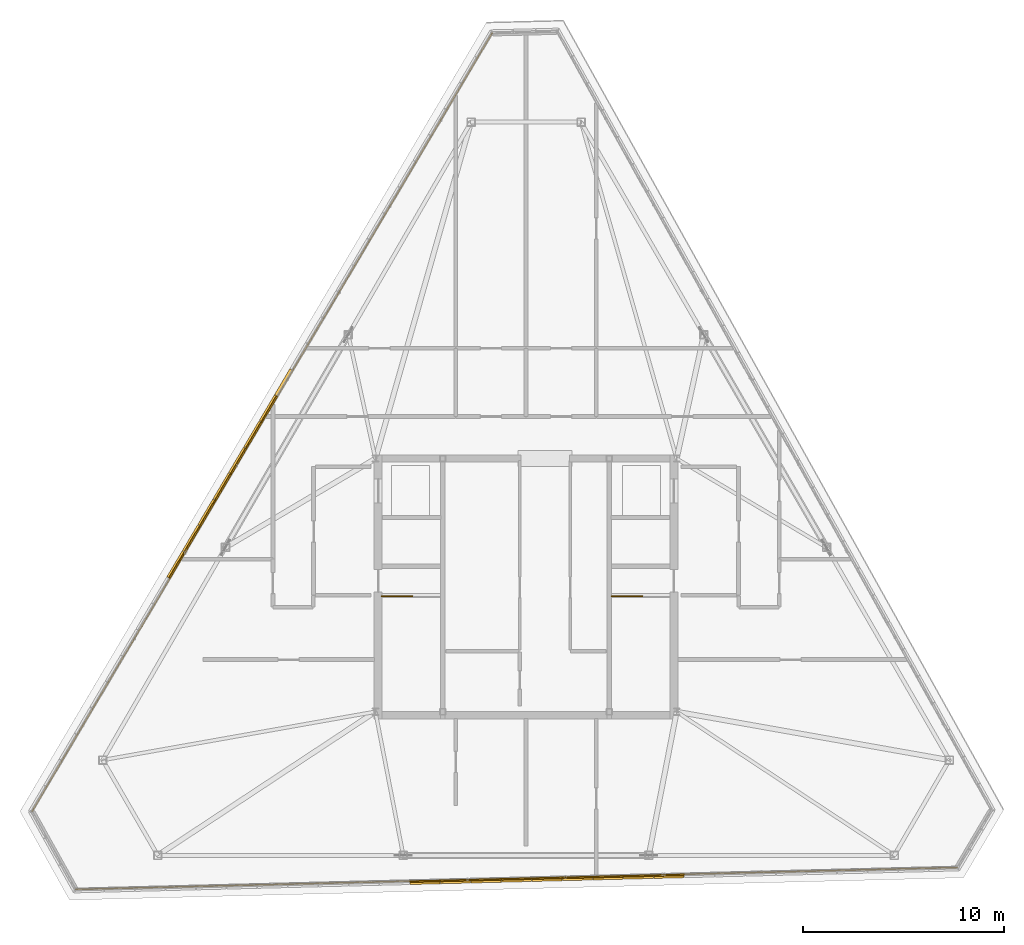
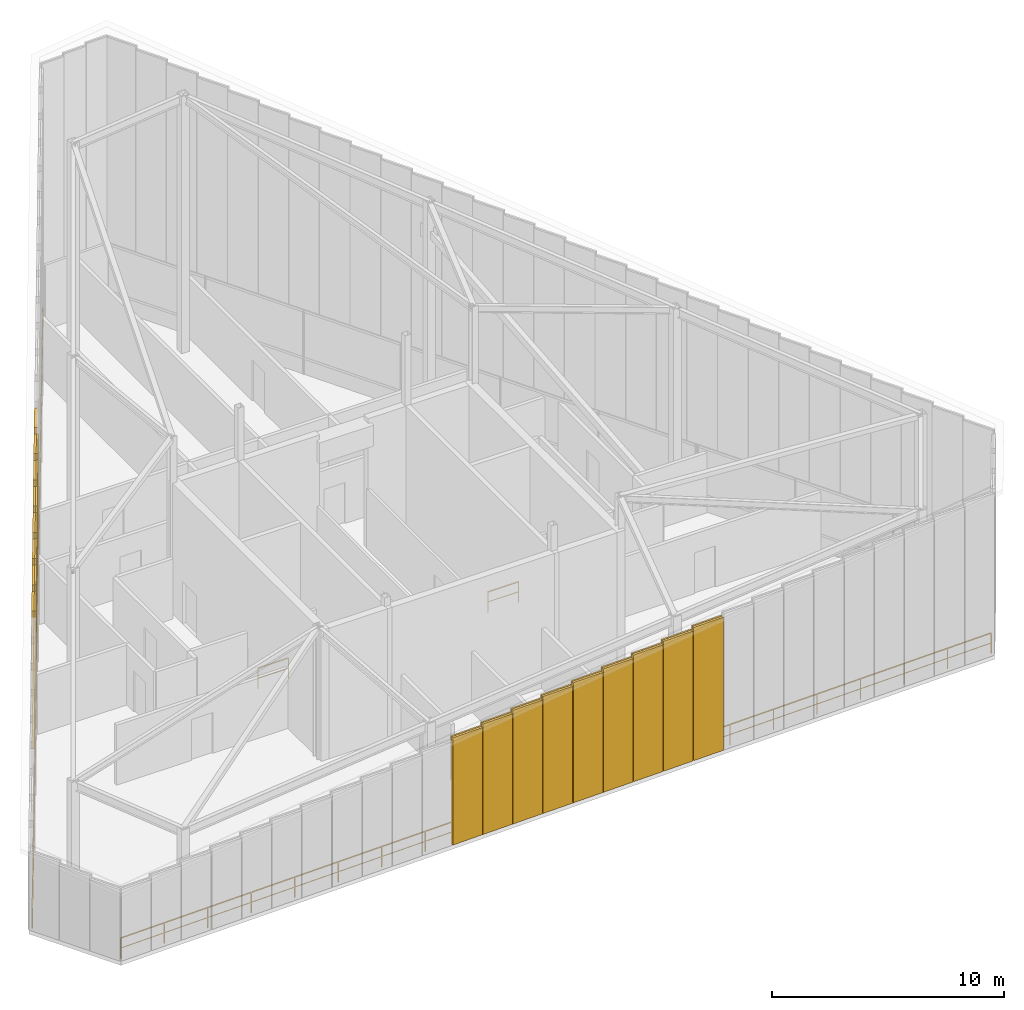
# One storey, part 47 of 50: 17 shading devices, 16 coverings, 4 railings.
"""IFC4 building model written with IfcOpenShell, lengths in metres."""

from ifc_helpers import new_model, si_unit, direction, frame, origin, origin_2d, place, context, subcontext, project, spatial, rectangle, extrude, source, transform, mapped, material, layer, layer_set, type_object, type_shapes, element, save


model = new_model("IFC4")

# Units and contexts
model_context = context("Model", 3, precision=1e-05, world=origin(), true_north=direction((0.0, 1.0)))
body_context = subcontext(model_context, "Body", "Model", "MODEL_VIEW")
ifc_project = project(units=[si_unit("LENGTHUNIT", "METRE"), si_unit("AREAUNIT", "SQUARE_METRE"), si_unit("VOLUMEUNIT", "CUBIC_METRE"), si_unit("PLANEANGLEUNIT", "RADIAN"), si_unit("MASSUNIT", "GRAM", prefix="KILO")], contexts=[model_context])

# Site, building, storey
site_placement = place(None, origin())
site = spatial("IfcSite", under=ifc_project, at=site_placement, CompositionType="ELEMENT")
building_placement = place(site_placement, origin())
building = spatial("IfcBuilding", under=site, at=building_placement, Name="Caelisora Broadcast Tower", CompositionType="ELEMENT")
storey_placement = place(building_placement, frame((0.0, 0.0, 303.39990234375)))
storey = spatial("IfcBuildingStorey", under=building, at=storey_placement, Name="L80", CompositionType="ELEMENT", Elevation=303.39990234375)

# Railings
ifc_material_1 = material(Name="Galvanised Steel Safety Guardrail", Category="steel")
ifc_layer_1 = layer(ifc_material_1, 0.048095703125, Name="Galvanised Steel Safety Guardrail")
ifc_layer_set_1 = layer_set([ifc_layer_1], Name="Galvanised Steel Safety Guardrail")
railing_type = type_object("IfcRailingType", Name="GR-1", PredefinedType="GUARDRAIL", material=ifc_layer_set_1)
railing_1_placement = place(storey_placement, frame((59.48388671875, 9.64501953125, 0.0)))
element("IfcRailing", 1, at=railing_1_placement, inside=storey, type_object=railing_type, Name="L80 balustrade GR-1 #02", PredefinedType="GUARDRAIL", context=body_context, shape_type="SweptSolid", body=[
    extrude(rectangle(XDim=0.048095703125, YDim=0.048095703125, at=origin_2d()), frame((0.0, 0.0, 1.076171875), z_axis=(-0.999689846851, -0.024904017811, 0.0), x_axis=(0.024904017811, -0.999689846851, 0.0)), (0.0, 0.0, 1.0), 43.928466796875),
    extrude(rectangle(XDim=0.03125, YDim=0.03125, at=origin_2d()), frame((0.0, 0.0, 0.550048828125), z_axis=(-0.999689846851, -0.024904017811, 0.0), x_axis=(0.024904017811, -0.999689846851, 0.0)), (0.0, 0.0, 1.0), 43.928466796875),
    extrude(rectangle(XDim=0.0419921875, YDim=0.0419921875, at=origin_2d()), origin(), (0.0, 0.0, 1.0), 1.052001953125),
    extrude(rectangle(XDim=0.0419921875, YDim=0.0419921875, at=origin_2d()), frame((-2.19580078125, -0.0546875, 0.0)), (0.0, 0.0, 1.0), 1.052001953125),
    extrude(rectangle(XDim=0.0419921875, YDim=0.0419921875, at=origin_2d()), frame((-4.3916015625, -0.109375, 0.0)), (0.0, 0.0, 1.0), 1.052001953125),
    extrude(rectangle(XDim=0.0419921875, YDim=0.0419921875, at=origin_2d()), frame((-6.587158203125, -0.1640625, 0.0)), (0.0, 0.0, 1.0), 1.052001953125),
    extrude(rectangle(XDim=0.0419921875, YDim=0.0419921875, at=origin_2d()), frame((-8.782958984375, -0.21875, 0.0)), (0.0, 0.0, 1.0), 1.052001953125),
    extrude(rectangle(XDim=0.0419921875, YDim=0.0419921875, at=origin_2d()), frame((-10.978759765625, -0.2734375, 0.0)), (0.0, 0.0, 1.0), 1.052001953125),
    extrude(rectangle(XDim=0.0419921875, YDim=0.0419921875, at=origin_2d()), frame((-13.17431640625, -0.328125, 0.0)), (0.0, 0.0, 1.0), 1.052001953125),
    extrude(rectangle(XDim=0.0419921875, YDim=0.0419921875, at=origin_2d()), frame((-15.3701171875, -0.3828125, 0.0)), (0.0, 0.0, 1.0), 1.052001953125),
    extrude(rectangle(XDim=0.0419921875, YDim=0.0419921875, at=origin_2d()), frame((-17.56591796875, -0.4375, 0.0)), (0.0, 0.0, 1.0), 1.052001953125),
    extrude(rectangle(XDim=0.0419921875, YDim=0.0419921875, at=origin_2d()), frame((-19.76171875, -0.4921875, 0.0)), (0.0, 0.0, 1.0), 1.052001953125),
    extrude(rectangle(XDim=0.0419921875, YDim=0.0419921875, at=origin_2d()), frame((-21.95751953125, -0.546875, 0.0)), (0.0, 0.0, 1.0), 1.052001953125),
    extrude(rectangle(XDim=0.0419921875, YDim=0.0419921875, at=origin_2d()), frame((-24.153076171875, -0.601806640625, 0.0)), (0.0, 0.0, 1.0), 1.052001953125),
    extrude(rectangle(XDim=0.0419921875, YDim=0.0419921875, at=origin_2d()), frame((-26.348876953125, -0.656494140625, 0.0)), (0.0, 0.0, 1.0), 1.052001953125),
    extrude(rectangle(XDim=0.0419921875, YDim=0.0419921875, at=origin_2d()), frame((-28.544677734375, -0.711181640625, 0.0)), (0.0, 0.0, 1.0), 1.052001953125),
    extrude(rectangle(XDim=0.0419921875, YDim=0.0419921875, at=origin_2d()), frame((-30.740234375, -0.765869140625, 0.0)), (0.0, 0.0, 1.0), 1.052001953125),
    extrude(rectangle(XDim=0.0419921875, YDim=0.0419921875, at=origin_2d()), frame((-32.93603515625, -0.820556640625, 0.0)), (0.0, 0.0, 1.0), 1.052001953125),
    extrude(rectangle(XDim=0.0419921875, YDim=0.0419921875, at=origin_2d()), frame((-35.1318359375, -0.875244140625, 0.0)), (0.0, 0.0, 1.0), 1.052001953125),
    extrude(rectangle(XDim=0.0419921875, YDim=0.0419921875, at=origin_2d()), frame((-37.32763671875, -0.929931640625, 0.0)), (0.0, 0.0, 1.0), 1.052001953125),
    extrude(rectangle(XDim=0.0419921875, YDim=0.0419921875, at=origin_2d()), frame((-39.5234375, -0.984619140625, 0.0)), (0.0, 0.0, 1.0), 1.052001953125),
    extrude(rectangle(XDim=0.0419921875, YDim=0.0419921875, at=origin_2d()), frame((-41.718994140625, -1.039306640625, 0.0)), (0.0, 0.0, 1.0), 1.052001953125),
    extrude(rectangle(XDim=0.0419921875, YDim=0.0419921875, at=origin_2d()), frame((-43.914794921875, -1.093994140625, 0.0)), (0.0, 0.0, 1.0), 1.052001953125),
])
railing_2_placement = place(storey_placement, frame((13.403076171875, 12.431884765625, 0.0)))
element("IfcRailing", 2, at=railing_2_placement, inside=storey, type_object=railing_type, Name="L80 balustrade GR-1 #04", PredefinedType="GUARDRAIL", context=body_context, shape_type="SweptSolid", body=[
    extrude(rectangle(XDim=0.048095703125, YDim=0.048095703125, at=origin_2d()), frame((0.0, 0.0, 1.076171875), z_axis=(0.508889535311, 0.860831830761, 0.0), x_axis=(-0.860831830761, 0.508889535311, 0.0)), (0.0, 0.0, 1.0), 45.01953125),
    extrude(rectangle(XDim=0.03125, YDim=0.03125, at=origin_2d()), frame((0.0, 0.0, 0.550048828125), z_axis=(0.508889535311, 0.860831830761, 0.0), x_axis=(-0.860831830761, 0.508889535311, 0.0)), (0.0, 0.0, 1.0), 45.01953125),
    extrude(rectangle(XDim=0.0419921875, YDim=0.0419921875, at=origin_2d()), origin(), (0.0, 0.0, 1.0), 1.052001953125),
    extrude(rectangle(XDim=0.0419921875, YDim=0.0419921875, at=origin_2d()), frame((1.091064453125, 1.845458984375, 0.0)), (0.0, 0.0, 1.0), 1.052001953125),
    extrude(rectangle(XDim=0.0419921875, YDim=0.0419921875, at=origin_2d()), frame((2.181884765625, 3.69091796875, 0.0)), (0.0, 0.0, 1.0), 1.052001953125),
    extrude(rectangle(XDim=0.0419921875, YDim=0.0419921875, at=origin_2d()), frame((3.27294921875, 5.536376953125, 0.0)), (0.0, 0.0, 1.0), 1.052001953125),
    extrude(rectangle(XDim=0.0419921875, YDim=0.0419921875, at=origin_2d()), frame((4.36376953125, 7.3818359375, 0.0)), (0.0, 0.0, 1.0), 1.052001953125),
    extrude(rectangle(XDim=0.0419921875, YDim=0.0419921875, at=origin_2d()), frame((5.454833984375, 9.227294921875, 0.0)), (0.0, 0.0, 1.0), 1.052001953125),
    extrude(rectangle(XDim=0.0419921875, YDim=0.0419921875, at=origin_2d()), frame((6.545654296875, 11.072509765625, 0.0)), (0.0, 0.0, 1.0), 1.052001953125),
    extrude(rectangle(XDim=0.0419921875, YDim=0.0419921875, at=origin_2d()), frame((7.63671875, 12.91796875, 0.0)), (0.0, 0.0, 1.0), 1.052001953125),
    extrude(rectangle(XDim=0.0419921875, YDim=0.0419921875, at=origin_2d()), frame((8.7275390625, 14.763427734375, 0.0)), (0.0, 0.0, 1.0), 1.052001953125),
    extrude(rectangle(XDim=0.0419921875, YDim=0.0419921875, at=origin_2d()), frame((9.818603515625, 16.60888671875, 0.0)), (0.0, 0.0, 1.0), 1.052001953125),
    extrude(rectangle(XDim=0.0419921875, YDim=0.0419921875, at=origin_2d()), frame((10.909423828125, 18.454345703125, 0.0)), (0.0, 0.0, 1.0), 1.052001953125),
    extrude(rectangle(XDim=0.0419921875, YDim=0.0419921875, at=origin_2d()), frame((12.00048828125, 20.2998046875, 0.0)), (0.0, 0.0, 1.0), 1.052001953125),
    extrude(rectangle(XDim=0.0419921875, YDim=0.0419921875, at=origin_2d()), frame((13.09130859375, 22.145263671875, 0.0)), (0.0, 0.0, 1.0), 1.052001953125),
    extrude(rectangle(XDim=0.0419921875, YDim=0.0419921875, at=origin_2d()), frame((14.182373046875, 23.99072265625, 0.0)), (0.0, 0.0, 1.0), 1.052001953125),
    extrude(rectangle(XDim=0.0419921875, YDim=0.0419921875, at=origin_2d()), frame((15.273193359375, 25.836181640625, 0.0)), (0.0, 0.0, 1.0), 1.052001953125),
    extrude(rectangle(XDim=0.0419921875, YDim=0.0419921875, at=origin_2d()), frame((16.3642578125, 27.681640625, 0.0)), (0.0, 0.0, 1.0), 1.052001953125),
    extrude(rectangle(XDim=0.0419921875, YDim=0.0419921875, at=origin_2d()), frame((17.455078125, 29.52685546875, 0.0)), (0.0, 0.0, 1.0), 1.052001953125),
    extrude(rectangle(XDim=0.0419921875, YDim=0.0419921875, at=origin_2d()), frame((18.546142578125, 31.372314453125, 0.0)), (0.0, 0.0, 1.0), 1.052001953125),
    extrude(rectangle(XDim=0.0419921875, YDim=0.0419921875, at=origin_2d()), frame((19.636962890625, 33.2177734375, 0.0)), (0.0, 0.0, 1.0), 1.052001953125),
    extrude(rectangle(XDim=0.0419921875, YDim=0.0419921875, at=origin_2d()), frame((20.72802734375, 35.063232421875, 0.0)), (0.0, 0.0, 1.0), 1.052001953125),
    extrude(rectangle(XDim=0.0419921875, YDim=0.0419921875, at=origin_2d()), frame((21.81884765625, 36.90869140625, 0.0)), (0.0, 0.0, 1.0), 1.052001953125),
    extrude(rectangle(XDim=0.0419921875, YDim=0.0419921875, at=origin_2d()), frame((22.909912109375, 38.754150390625, 0.0)), (0.0, 0.0, 1.0), 1.052001953125),
])
for number, where, name in (
    (3, (30.820068359375, 23.14990234375, 0.0), "L80 ST-1 top well guard 1"),
    (4, (42.260009765625, 23.14990234375, 0.0), "L80 ST-2 top well guard 1"),
):
    element("IfcRailing", number, at=place(storey_placement, frame(where)), inside=storey, type_object=railing_type, Name=name, PredefinedType="GUARDRAIL", context=body_context, shape_type="SweptSolid", body=[
        extrude(rectangle(XDim=0.048095703125, YDim=0.048095703125, at=origin_2d()), frame((0.0, 0.0, 1.076171875), z_axis=(1.0, 0.0, 0.0), x_axis=(0.0, 1.0, 0.0)), (0.0, 0.0, 1.0), 1.52001953125),
        extrude(rectangle(XDim=0.03125, YDim=0.03125, at=origin_2d()), frame((0.0, 0.0, 0.550048828125), z_axis=(1.0, 0.0, 0.0), x_axis=(0.0, 1.0, 0.0)), (0.0, 0.0, 1.0), 1.52001953125),
        extrude(rectangle(XDim=0.0419921875, YDim=0.0419921875, at=origin_2d()), origin(), (0.0, 0.0, 1.0), 1.052001953125),
        extrude(rectangle(XDim=0.0419921875, YDim=0.0419921875, at=origin_2d()), frame((1.52001953125, 0.0, 0.0)), (0.0, 0.0, 1.0), 1.052001953125),
    ])

# Shading devices
ifc_material_2 = material(Name="Anodised Terracotta Aluminium Acoustic Louvre", Category="aluminium")
ifc_layer_2 = layer(ifc_material_2, 0.139892578125, Name="Anodised Terracotta Aluminium Acoustic Louvre")
ifc_layer_set_2 = layer_set([ifc_layer_2], Name="Anodised Terracotta Aluminium Acoustic Louvre")
shading_device_type = type_object("IfcShadingDeviceType", Name="LV-1", PredefinedType="JALOUSIE", material=ifc_layer_set_2)
shared_shape_1 = source(origin(), body_context, "Body", "SweptSolid", [
    extrude(rectangle(XDim=1.475830078125, YDim=0.139892578125, at=origin_2d()), origin(), (0.0, 0.0, 1.0), 9.51708984375),
])
shading_device_1_placement = place(storey_placement, frame((25.9208984375, 33.802978515625, -0.02001953125), z_axis=(0.0, 0.0, 1.0), x_axis=(-0.508891180174, -0.860830858381, 0.0)))
element("IfcShadingDevice", 5, at=shading_device_1_placement, inside=storey, type_object=shading_device_type, Name="L80 crown acoustic louvre #017", PredefinedType="JALOUSIE", context=body_context, shape_type="MappedRepresentation", body=[
    mapped(shared_shape_1, transform((0.0, 0.0, 0.0), scale=1.0)),
])
shared_shape_2 = source(origin(), body_context, "Body", "SweptSolid", [
    extrude(rectangle(XDim=1.475830078125, YDim=0.139892578125, at=origin_2d()), origin(), (0.0, 0.0, 1.0), 9.193115234375),
])
shading_device_2_placement = place(storey_placement, frame((25.154541015625, 32.5068359375, -0.02001953125), z_axis=(0.0, 0.0, 1.0), x_axis=(-0.508891180174, -0.860830858381, 0.0)))
element("IfcShadingDevice", 6, at=shading_device_2_placement, inside=storey, type_object=shading_device_type, Name="L80 crown acoustic louvre #018", PredefinedType="JALOUSIE", context=body_context, shape_type="MappedRepresentation", body=[
    mapped(shared_shape_2, transform((0.0, 0.0, 0.0), scale=1.0)),
])

# Covering
ifc_material_3 = material(Name="Kiln-Fired Terracotta Spandrel Rainscreen Cladding", Category="ceramic")
ifc_layer_3 = layer(ifc_material_3, 0.044921875, Name="Kiln-Fired Terracotta Spandrel Rainscreen Cladding")
ifc_layer_set_3 = layer_set([ifc_layer_3], Name="Kiln-Fired Terracotta Spandrel Rainscreen Cladding")
covering_type = type_object("IfcCoveringType", Name="CL-1", PredefinedType="CLADDING", material=ifc_layer_set_3)
shared_shape_3 = source(origin(), body_context, "Body", "SweptSolid", [
    extrude(rectangle(XDim=1.48583984375, YDim=0.080078125, at=origin_2d()), origin(), (0.0, 0.0, 1.0), 5.843017578125),
])
covering_1_placement = place(storey_placement, frame((25.223388671875, 32.466064453125, 3.34033203125), z_axis=(0.0, 0.0, 1.0), x_axis=(-0.508891180174, -0.860830858381, 0.0)))
element("IfcCovering", 7, at=covering_1_placement, inside=storey, type_object=covering_type, Name="L80 crown fascia cladding #018", PredefinedType="CLADDING", context=body_context, shape_type="MappedRepresentation", body=[
    mapped(shared_shape_3, transform((0.0, 0.0, 0.0), scale=1.0)),
])

# Shading device
shared_shape_4 = source(origin(), body_context, "Body", "SweptSolid", [
    extrude(rectangle(XDim=1.475830078125, YDim=0.139892578125, at=origin_2d()), origin(), (0.0, 0.0, 1.0), 8.868896484375),
])
shading_device_3_placement = place(storey_placement, frame((24.38818359375, 31.21044921875, -0.02001953125), z_axis=(0.0, 0.0, 1.0), x_axis=(-0.508891180174, -0.860830858381, 0.0)))
element("IfcShadingDevice", 8, at=shading_device_3_placement, inside=storey, type_object=shading_device_type, Name="L80 crown acoustic louvre #019", PredefinedType="JALOUSIE", context=body_context, shape_type="MappedRepresentation", body=[
    mapped(shared_shape_4, transform((0.0, 0.0, 0.0), scale=1.0)),
])

# Covering
shared_shape_5 = source(origin(), body_context, "Body", "SweptSolid", [
    extrude(rectangle(XDim=1.48583984375, YDim=0.080078125, at=origin_2d()), origin(), (0.0, 0.0, 1.0), 5.51904296875),
])
covering_2_placement = place(storey_placement, frame((24.45703125, 31.169921875, 3.340087890625), z_axis=(0.0, 0.0, 1.0), x_axis=(-0.508891180174, -0.860830858381, 0.0)))
element("IfcCovering", 9, at=covering_2_placement, inside=storey, type_object=covering_type, Name="L80 crown fascia cladding #019", PredefinedType="CLADDING", context=body_context, shape_type="MappedRepresentation", body=[
    mapped(shared_shape_5, transform((0.0, 0.0, 0.0), scale=1.0)),
])

# Shading device
shared_shape_6 = source(origin(), body_context, "Body", "SweptSolid", [
    extrude(rectangle(XDim=1.475830078125, YDim=0.139892578125, at=origin_2d()), origin(), (0.0, 0.0, 1.0), 8.5458984375),
])
shading_device_4_placement = place(storey_placement, frame((23.621826171875, 29.9140625, -0.019775390625), z_axis=(0.0, 0.0, 1.0), x_axis=(-0.508891180174, -0.860830858381, 0.0)))
element("IfcShadingDevice", 10, at=shading_device_4_placement, inside=storey, type_object=shading_device_type, Name="L80 crown acoustic louvre #020", PredefinedType="JALOUSIE", context=body_context, shape_type="MappedRepresentation", body=[
    mapped(shared_shape_6, transform((0.0, 0.0, 0.0), scale=1.0)),
])

# Covering
shared_shape_7 = source(origin(), body_context, "Body", "SweptSolid", [
    extrude(rectangle(XDim=1.48583984375, YDim=0.080078125, at=origin_2d()), origin(), (0.0, 0.0, 1.0), 5.196044921875),
])
covering_3_placement = place(storey_placement, frame((23.69091796875, 29.873291015625, 3.33984375), z_axis=(0.0, 0.0, 1.0), x_axis=(-0.508891180174, -0.860830858381, 0.0)))
element("IfcCovering", 11, at=covering_3_placement, inside=storey, type_object=covering_type, Name="L80 crown fascia cladding #020", PredefinedType="CLADDING", context=body_context, shape_type="MappedRepresentation", body=[
    mapped(shared_shape_7, transform((0.0, 0.0, 0.0), scale=1.0)),
])

# Shading device
shared_shape_8 = source(origin(), body_context, "Body", "SweptSolid", [
    extrude(rectangle(XDim=1.475830078125, YDim=0.139892578125, at=origin_2d()), origin(), (0.0, 0.0, 1.0), 8.221923828125),
])
shading_device_5_placement = place(storey_placement, frame((22.855712890625, 28.617919921875, -0.02001953125), z_axis=(0.0, 0.0, 1.0), x_axis=(-0.508891180174, -0.860830858381, 0.0)))
element("IfcShadingDevice", 12, at=shading_device_5_placement, inside=storey, type_object=shading_device_type, Name="L80 crown acoustic louvre #021", PredefinedType="JALOUSIE", context=body_context, shape_type="MappedRepresentation", body=[
    mapped(shared_shape_8, transform((0.0, 0.0, 0.0), scale=1.0)),
])

# Covering
shared_shape_9 = source(origin(), body_context, "Body", "SweptSolid", [
    extrude(rectangle(XDim=1.48583984375, YDim=0.080078125, at=origin_2d()), origin(), (0.0, 0.0, 1.0), 4.8720703125),
])
covering_4_placement = place(storey_placement, frame((22.924560546875, 28.5771484375, 3.340087890625), z_axis=(0.0, 0.0, 1.0), x_axis=(-0.508891180174, -0.860830858381, 0.0)))
element("IfcCovering", 13, at=covering_4_placement, inside=storey, type_object=covering_type, Name="L80 crown fascia cladding #021", PredefinedType="CLADDING", context=body_context, shape_type="MappedRepresentation", body=[
    mapped(shared_shape_9, transform((0.0, 0.0, 0.0), scale=1.0)),
])

# Shading device
shared_shape_10 = source(origin(), body_context, "Body", "SweptSolid", [
    extrude(rectangle(XDim=1.475830078125, YDim=0.139892578125, at=origin_2d()), origin(), (0.0, 0.0, 1.0), 7.89794921875),
])
shading_device_6_placement = place(storey_placement, frame((22.08935546875, 27.321533203125, -0.019775390625), z_axis=(0.0, 0.0, 1.0), x_axis=(-0.508891180174, -0.860830858381, 0.0)))
element("IfcShadingDevice", 14, at=shading_device_6_placement, inside=storey, type_object=shading_device_type, Name="L80 crown acoustic louvre #022", PredefinedType="JALOUSIE", context=body_context, shape_type="MappedRepresentation", body=[
    mapped(shared_shape_10, transform((0.0, 0.0, 0.0), scale=1.0)),
])

# Covering
shared_shape_11 = source(origin(), body_context, "Body", "SweptSolid", [
    extrude(rectangle(XDim=1.48583984375, YDim=0.080078125, at=origin_2d()), origin(), (0.0, 0.0, 1.0), 4.548095703125),
])
covering_5_placement = place(storey_placement, frame((22.158203125, 27.28076171875, 3.33984375), z_axis=(0.0, 0.0, 1.0), x_axis=(-0.508891180174, -0.860830858381, 0.0)))
element("IfcCovering", 15, at=covering_5_placement, inside=storey, type_object=covering_type, Name="L80 crown fascia cladding #022", PredefinedType="CLADDING", context=body_context, shape_type="MappedRepresentation", body=[
    mapped(shared_shape_11, transform((0.0, 0.0, 0.0), scale=1.0)),
])

# Shading device
shared_shape_12 = source(origin(), body_context, "Body", "SweptSolid", [
    extrude(rectangle(XDim=1.475830078125, YDim=0.139892578125, at=origin_2d()), origin(), (0.0, 0.0, 1.0), 7.573974609375),
])
shading_device_7_placement = place(storey_placement, frame((21.322998046875, 26.025146484375, -0.02001953125), z_axis=(0.0, 0.0, 1.0), x_axis=(-0.508891180174, -0.860830858381, 0.0)))
element("IfcShadingDevice", 16, at=shading_device_7_placement, inside=storey, type_object=shading_device_type, Name="L80 crown acoustic louvre #023", PredefinedType="JALOUSIE", context=body_context, shape_type="MappedRepresentation", body=[
    mapped(shared_shape_12, transform((0.0, 0.0, 0.0), scale=1.0)),
])

# Covering
shared_shape_13 = source(origin(), body_context, "Body", "SweptSolid", [
    extrude(rectangle(XDim=1.48583984375, YDim=0.080078125, at=origin_2d()), origin(), (0.0, 0.0, 1.0), 4.22412109375),
])
covering_6_placement = place(storey_placement, frame((21.391845703125, 25.984375, 3.340087890625), z_axis=(0.0, 0.0, 1.0), x_axis=(-0.508891180174, -0.860830858381, 0.0)))
element("IfcCovering", 17, at=covering_6_placement, inside=storey, type_object=covering_type, Name="L80 crown fascia cladding #023", PredefinedType="CLADDING", context=body_context, shape_type="MappedRepresentation", body=[
    mapped(shared_shape_13, transform((0.0, 0.0, 0.0), scale=1.0)),
])

# Shading device
shared_shape_14 = source(origin(), body_context, "Body", "SweptSolid", [
    extrude(rectangle(XDim=1.475830078125, YDim=0.139892578125, at=origin_2d()), origin(), (0.0, 0.0, 1.0), 7.2509765625),
])
shading_device_8_placement = place(storey_placement, frame((20.556640625, 24.728759765625, -0.019775390625), z_axis=(0.0, 0.0, 1.0), x_axis=(-0.508891180174, -0.860830858381, 0.0)))
element("IfcShadingDevice", 18, at=shading_device_8_placement, inside=storey, type_object=shading_device_type, Name="L80 crown acoustic louvre #024", PredefinedType="JALOUSIE", context=body_context, shape_type="MappedRepresentation", body=[
    mapped(shared_shape_14, transform((0.0, 0.0, 0.0), scale=1.0)),
])

# Covering
shared_shape_15 = source(origin(), body_context, "Body", "SweptSolid", [
    extrude(rectangle(XDim=1.48583984375, YDim=0.080078125, at=origin_2d()), origin(), (0.0, 0.0, 1.0), 3.90087890625),
])
covering_7_placement = place(storey_placement, frame((20.62548828125, 24.68798828125, 3.340087890625), z_axis=(0.0, 0.0, 1.0), x_axis=(-0.508891180174, -0.860830858381, 0.0)))
element("IfcCovering", 19, at=covering_7_placement, inside=storey, type_object=covering_type, Name="L80 crown fascia cladding #024", PredefinedType="CLADDING", context=body_context, shape_type="MappedRepresentation", body=[
    mapped(shared_shape_15, transform((0.0, 0.0, 0.0), scale=1.0)),
])

# Shading device
shared_shape_16 = source(origin(), body_context, "Body", "SweptSolid", [
    extrude(rectangle(XDim=1.490478515625, YDim=0.139892578125, at=origin_2d()), origin(), (0.0, 0.0, 1.0), 5.634033203125),
])
shading_device_9_placement = place(storey_placement, frame((32.9658203125, 8.884521484375, -0.02001953125), z_axis=(0.0, 0.0, 1.0), x_axis=(0.999688560086, 0.024955617256, 0.0)))
element("IfcShadingDevice", 20, at=shading_device_9_placement, inside=storey, type_object=shading_device_type, Name="L80 crown acoustic louvre #048", PredefinedType="JALOUSIE", context=body_context, shape_type="MappedRepresentation", body=[
    mapped(shared_shape_16, transform((0.0, 0.0, 0.0), scale=1.0)),
])

# Covering
shared_shape_17 = source(origin(), body_context, "Body", "SweptSolid", [
    extrude(rectangle(XDim=1.50048828125, YDim=0.080078125, at=origin_2d()), origin(), (0.0, 0.0, 1.0), 2.283935546875),
])
covering_8_placement = place(storey_placement, frame((32.9638671875, 8.96435546875, 3.34033203125), z_axis=(0.0, 0.0, 1.0), x_axis=(0.999688560086, 0.024955617256, 0.0)))
element("IfcCovering", 21, at=covering_8_placement, inside=storey, type_object=covering_type, Name="L80 crown fascia cladding #048", PredefinedType="CLADDING", context=body_context, shape_type="MappedRepresentation", body=[
    mapped(shared_shape_17, transform((0.0, 0.0, 0.0), scale=1.0)),
])

# Shading device
shared_shape_18 = source(origin(), body_context, "Body", "SweptSolid", [
    extrude(rectangle(XDim=1.490478515625, YDim=0.139892578125, at=origin_2d()), origin(), (0.0, 0.0, 1.0), 5.804931640625),
])
shading_device_10_placement = place(storey_placement, frame((34.485595703125, 8.92236328125, -0.02001953125), z_axis=(0.0, 0.0, 1.0), x_axis=(0.999688560086, 0.024955617256, 0.0)))
element("IfcShadingDevice", 22, at=shading_device_10_placement, inside=storey, type_object=shading_device_type, Name="L80 crown acoustic louvre #049", PredefinedType="JALOUSIE", context=body_context, shape_type="MappedRepresentation", body=[
    mapped(shared_shape_18, transform((0.0, 0.0, 0.0), scale=1.0)),
])

# Covering
shared_shape_19 = source(origin(), body_context, "Body", "SweptSolid", [
    extrude(rectangle(XDim=1.50048828125, YDim=0.080078125, at=origin_2d()), origin(), (0.0, 0.0, 1.0), 2.455078125),
])
covering_9_placement = place(storey_placement, frame((34.483642578125, 9.002197265625, 3.340087890625), z_axis=(0.0, 0.0, 1.0), x_axis=(0.999688560086, 0.024955617256, 0.0)))
element("IfcCovering", 23, at=covering_9_placement, inside=storey, type_object=covering_type, Name="L80 crown fascia cladding #049", PredefinedType="CLADDING", context=body_context, shape_type="MappedRepresentation", body=[
    mapped(shared_shape_19, transform((0.0, 0.0, 0.0), scale=1.0)),
])

# Shading device
shared_shape_20 = source(origin(), body_context, "Body", "SweptSolid", [
    extrude(rectangle(XDim=1.490478515625, YDim=0.139892578125, at=origin_2d()), origin(), (0.0, 0.0, 1.0), 5.97509765625),
])
shading_device_11_placement = place(storey_placement, frame((36.005615234375, 8.960205078125, -0.02001953125), z_axis=(0.0, 0.0, 1.0), x_axis=(0.999688560086, 0.024955617256, 0.0)))
element("IfcShadingDevice", 24, at=shading_device_11_placement, inside=storey, type_object=shading_device_type, Name="L80 crown acoustic louvre #050", PredefinedType="JALOUSIE", context=body_context, shape_type="MappedRepresentation", body=[
    mapped(shared_shape_20, transform((0.0, 0.0, 0.0), scale=1.0)),
])

# Covering
shared_shape_21 = source(origin(), body_context, "Body", "SweptSolid", [
    extrude(rectangle(XDim=1.50048828125, YDim=0.080078125, at=origin_2d()), origin(), (0.0, 0.0, 1.0), 2.625),
])
covering_10_placement = place(storey_placement, frame((36.003662109375, 9.0400390625, 3.340087890625), z_axis=(0.0, 0.0, 1.0), x_axis=(0.999688560086, 0.024955617256, 0.0)))
element("IfcCovering", 25, at=covering_10_placement, inside=storey, type_object=covering_type, Name="L80 crown fascia cladding #050", PredefinedType="CLADDING", context=body_context, shape_type="MappedRepresentation", body=[
    mapped(shared_shape_21, transform((0.0, 0.0, 0.0), scale=1.0)),
])

# Shading device
shared_shape_22 = source(origin(), body_context, "Body", "SweptSolid", [
    extrude(rectangle(XDim=1.490478515625, YDim=0.139892578125, at=origin_2d()), origin(), (0.0, 0.0, 1.0), 6.14599609375),
])
shading_device_12_placement = place(storey_placement, frame((37.525390625, 8.998046875, -0.02001953125), z_axis=(0.0, 0.0, 1.0), x_axis=(0.999688560086, 0.024955617256, 0.0)))
element("IfcShadingDevice", 26, at=shading_device_12_placement, inside=storey, type_object=shading_device_type, Name="L80 crown acoustic louvre #051", PredefinedType="JALOUSIE", context=body_context, shape_type="MappedRepresentation", body=[
    mapped(shared_shape_22, transform((0.0, 0.0, 0.0), scale=1.0)),
])

# Covering
shared_shape_23 = source(origin(), body_context, "Body", "SweptSolid", [
    extrude(rectangle(XDim=1.50048828125, YDim=0.080078125, at=origin_2d()), origin(), (0.0, 0.0, 1.0), 2.7958984375),
])
covering_11_placement = place(storey_placement, frame((37.5234375, 9.077880859375, 3.340087890625), z_axis=(0.0, 0.0, 1.0), x_axis=(0.999688560086, 0.024955617256, 0.0)))
element("IfcCovering", 27, at=covering_11_placement, inside=storey, type_object=covering_type, Name="L80 crown fascia cladding #051", PredefinedType="CLADDING", context=body_context, shape_type="MappedRepresentation", body=[
    mapped(shared_shape_23, transform((0.0, 0.0, 0.0), scale=1.0)),
])

# Shading device
shared_shape_24 = source(origin(), body_context, "Body", "SweptSolid", [
    extrude(rectangle(XDim=1.490478515625, YDim=0.139892578125, at=origin_2d()), origin(), (0.0, 0.0, 1.0), 6.31591796875),
])
shading_device_13_placement = place(storey_placement, frame((39.04541015625, 9.035888671875, -0.019775390625), z_axis=(0.0, 0.0, 1.0), x_axis=(0.999688560086, 0.024955617256, 0.0)))
element("IfcShadingDevice", 28, at=shading_device_13_placement, inside=storey, type_object=shading_device_type, Name="L80 crown acoustic louvre #052", PredefinedType="JALOUSIE", context=body_context, shape_type="MappedRepresentation", body=[
    mapped(shared_shape_24, transform((0.0, 0.0, 0.0), scale=1.0)),
])

# Covering
shared_shape_25 = source(origin(), body_context, "Body", "SweptSolid", [
    extrude(rectangle(XDim=1.50048828125, YDim=0.080078125, at=origin_2d()), origin(), (0.0, 0.0, 1.0), 2.966064453125),
])
covering_12_placement = place(storey_placement, frame((39.04345703125, 9.11572265625, 3.33984375), z_axis=(0.0, 0.0, 1.0), x_axis=(0.999688560086, 0.024955617256, 0.0)))
element("IfcCovering", 29, at=covering_12_placement, inside=storey, type_object=covering_type, Name="L80 crown fascia cladding #052", PredefinedType="CLADDING", context=body_context, shape_type="MappedRepresentation", body=[
    mapped(shared_shape_25, transform((0.0, 0.0, 0.0), scale=1.0)),
])

# Shading device
shared_shape_26 = source(origin(), body_context, "Body", "SweptSolid", [
    extrude(rectangle(XDim=1.490478515625, YDim=0.139892578125, at=origin_2d()), origin(), (0.0, 0.0, 1.0), 6.487060546875),
])
shading_device_14_placement = place(storey_placement, frame((40.565185546875, 9.07373046875, -0.02001953125), z_axis=(0.0, 0.0, 1.0), x_axis=(0.999688560086, 0.024955617256, 0.0)))
element("IfcShadingDevice", 30, at=shading_device_14_placement, inside=storey, type_object=shading_device_type, Name="L80 crown acoustic louvre #053", PredefinedType="JALOUSIE", context=body_context, shape_type="MappedRepresentation", body=[
    mapped(shared_shape_26, transform((0.0, 0.0, 0.0), scale=1.0)),
])

# Covering
shared_shape_27 = source(origin(), body_context, "Body", "SweptSolid", [
    extrude(rectangle(XDim=1.50048828125, YDim=0.080078125, at=origin_2d()), origin(), (0.0, 0.0, 1.0), 3.136962890625),
])
covering_13_placement = place(storey_placement, frame((40.563232421875, 9.15380859375, 3.34033203125), z_axis=(0.0, 0.0, 1.0), x_axis=(0.999688560086, 0.024955617256, 0.0)))
element("IfcCovering", 31, at=covering_13_placement, inside=storey, type_object=covering_type, Name="L80 crown fascia cladding #053", PredefinedType="CLADDING", context=body_context, shape_type="MappedRepresentation", body=[
    mapped(shared_shape_27, transform((0.0, 0.0, 0.0), scale=1.0)),
])

# Shading device
shared_shape_28 = source(origin(), body_context, "Body", "SweptSolid", [
    extrude(rectangle(XDim=1.490478515625, YDim=0.139892578125, at=origin_2d()), origin(), (0.0, 0.0, 1.0), 6.656982421875),
])
shading_device_15_placement = place(storey_placement, frame((42.085205078125, 9.111572265625, -0.02001953125), z_axis=(0.0, 0.0, 1.0), x_axis=(0.999688560086, 0.024955617256, 0.0)))
element("IfcShadingDevice", 32, at=shading_device_15_placement, inside=storey, type_object=shading_device_type, Name="L80 crown acoustic louvre #054", PredefinedType="JALOUSIE", context=body_context, shape_type="MappedRepresentation", body=[
    mapped(shared_shape_28, transform((0.0, 0.0, 0.0), scale=1.0)),
])

# Covering
shared_shape_29 = source(origin(), body_context, "Body", "SweptSolid", [
    extrude(rectangle(XDim=1.50048828125, YDim=0.080078125, at=origin_2d()), origin(), (0.0, 0.0, 1.0), 3.306884765625),
])
covering_14_placement = place(storey_placement, frame((42.083251953125, 9.19140625, 3.34033203125), z_axis=(0.0, 0.0, 1.0), x_axis=(0.999688560086, 0.024955617256, 0.0)))
element("IfcCovering", 33, at=covering_14_placement, inside=storey, type_object=covering_type, Name="L80 crown fascia cladding #054", PredefinedType="CLADDING", context=body_context, shape_type="MappedRepresentation", body=[
    mapped(shared_shape_29, transform((0.0, 0.0, 0.0), scale=1.0)),
])

# Shading device
shared_shape_30 = source(origin(), body_context, "Body", "SweptSolid", [
    extrude(rectangle(XDim=1.490478515625, YDim=0.139892578125, at=origin_2d()), origin(), (0.0, 0.0, 1.0), 6.826904296875),
])
shading_device_16_placement = place(storey_placement, frame((43.60498046875, 9.1494140625, -0.02001953125), z_axis=(0.0, 0.0, 1.0), x_axis=(0.999688560086, 0.024955617256, 0.0)))
element("IfcShadingDevice", 34, at=shading_device_16_placement, inside=storey, type_object=shading_device_type, Name="L80 crown acoustic louvre #055", PredefinedType="JALOUSIE", context=body_context, shape_type="MappedRepresentation", body=[
    mapped(shared_shape_30, transform((0.0, 0.0, 0.0), scale=1.0)),
])

# Covering
shared_shape_31 = source(origin(), body_context, "Body", "SweptSolid", [
    extrude(rectangle(XDim=1.50048828125, YDim=0.080078125, at=origin_2d()), origin(), (0.0, 0.0, 1.0), 3.47705078125),
])
covering_15_placement = place(storey_placement, frame((43.60302734375, 9.2294921875, 3.340087890625), z_axis=(0.0, 0.0, 1.0), x_axis=(0.999688560086, 0.024955617256, 0.0)))
element("IfcCovering", 35, at=covering_15_placement, inside=storey, type_object=covering_type, Name="L80 crown fascia cladding #055", PredefinedType="CLADDING", context=body_context, shape_type="MappedRepresentation", body=[
    mapped(shared_shape_31, transform((0.0, 0.0, 0.0), scale=1.0)),
])

# Shading device
shared_shape_32 = source(origin(), body_context, "Body", "SweptSolid", [
    extrude(rectangle(XDim=1.490478515625, YDim=0.139892578125, at=origin_2d()), origin(), (0.0, 0.0, 1.0), 6.998046875),
])
type_shapes(shading_device_type, [shared_shape_1, shared_shape_2, shared_shape_4, shared_shape_6, shared_shape_8, shared_shape_10, shared_shape_12, shared_shape_14, shared_shape_16, shared_shape_18, shared_shape_20, shared_shape_22, shared_shape_24, shared_shape_26, shared_shape_28, shared_shape_30, shared_shape_32])
shading_device_17_placement = place(storey_placement, frame((45.125, 9.187255859375, -0.02001953125), z_axis=(0.0, 0.0, 1.0), x_axis=(0.999688560086, 0.024955617256, 0.0)))
element("IfcShadingDevice", 36, at=shading_device_17_placement, inside=storey, type_object=shading_device_type, Name="L80 crown acoustic louvre #056", PredefinedType="JALOUSIE", context=body_context, shape_type="MappedRepresentation", body=[
    mapped(shared_shape_32, transform((0.0, 0.0, 0.0), scale=1.0)),
])

# Covering
shared_shape_33 = source(origin(), body_context, "Body", "SweptSolid", [
    extrude(rectangle(XDim=1.50048828125, YDim=0.080078125, at=origin_2d()), origin(), (0.0, 0.0, 1.0), 3.64794921875),
])
type_shapes(covering_type, [shared_shape_3, shared_shape_5, shared_shape_7, shared_shape_9, shared_shape_11, shared_shape_13, shared_shape_15, shared_shape_17, shared_shape_19, shared_shape_21, shared_shape_23, shared_shape_25, shared_shape_27, shared_shape_29, shared_shape_31, shared_shape_33])
covering_16_placement = place(storey_placement, frame((45.123046875, 9.267333984375, 3.340087890625), z_axis=(0.0, 0.0, 1.0), x_axis=(0.999688560086, 0.024955617256, 0.0)))
element("IfcCovering", 37, at=covering_16_placement, inside=storey, type_object=covering_type, Name="L80 crown fascia cladding #056", PredefinedType="CLADDING", context=body_context, shape_type="MappedRepresentation", body=[
    mapped(shared_shape_33, transform((0.0, 0.0, 0.0), scale=1.0)),
])

save(model, "model.ifc")
